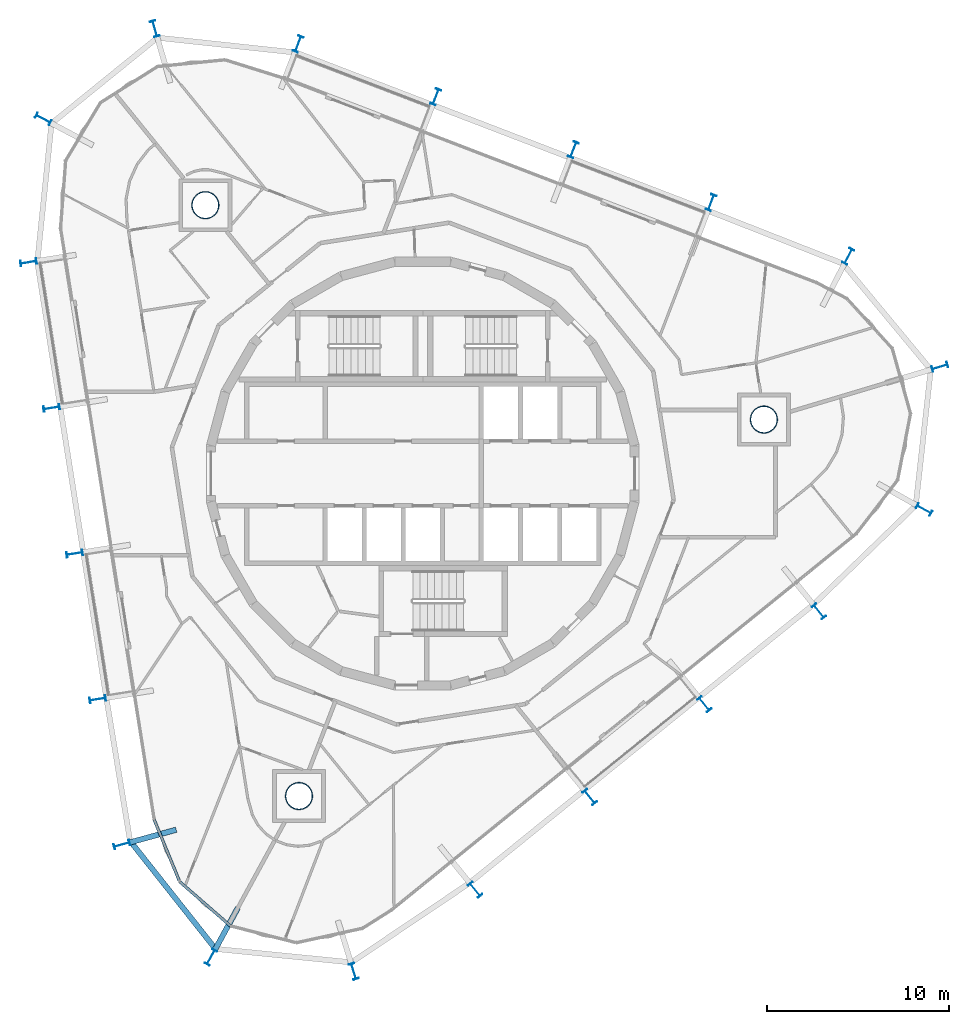
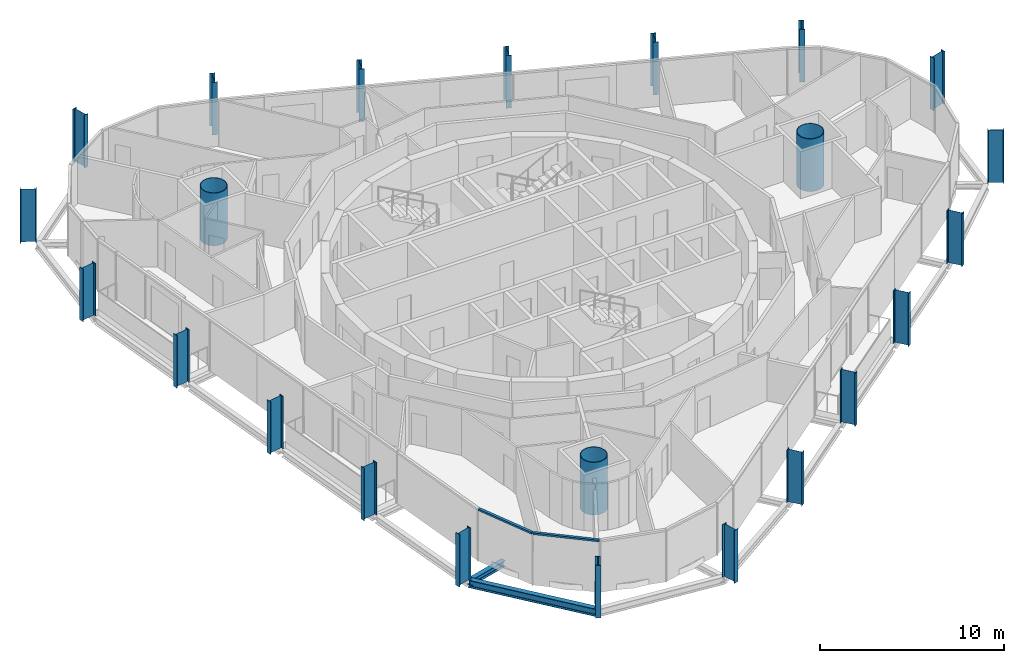
# One storey, part 1 of 18: 23 columns, 3 beams, 2 members, 1 element without a shape of its own.
"""IFC4 building model written with IfcOpenShell, lengths in metres."""

from ifc_helpers import new_model, si_unit, direction, frame, origin, origin_2d, place, context, subcontext, project, spatial, rectangle, hollow_circle, i_section, extrude, material, layer, layer_set, material_profile, profile_set, type_object, element, aggregate, save


model = new_model("IFC4")

# Units and contexts
model_context = context("Model", 3, precision=1e-05, world=origin(), true_north=direction((0.0, 1.0)))
body_context = subcontext(model_context, "Body", "Model", "MODEL_VIEW")
ifc_project = project(units=[si_unit("LENGTHUNIT", "METRE"), si_unit("AREAUNIT", "SQUARE_METRE"), si_unit("VOLUMEUNIT", "CUBIC_METRE"), si_unit("PLANEANGLEUNIT", "RADIAN"), si_unit("MASSUNIT", "GRAM", prefix="KILO")], contexts=[model_context])

# Site, building, storey
site_placement = place(None, origin())
site = spatial("IfcSite", under=ifc_project, at=site_placement, CompositionType="ELEMENT")
building_placement = place(site_placement, origin())
building = spatial("IfcBuilding", under=site, at=building_placement, Name="Spindle Arch Residences", CompositionType="ELEMENT")
storey_placement = place(building_placement, frame((0.0, 0.0, 273.89990234375)))
storey = spatial("IfcBuildingStorey", under=building, at=storey_placement, Name="L70", CompositionType="ELEMENT", Elevation=273.89990234375)

# Columns
ifc_material_1 = material(Name="Steel S460ML, intumescent coating R 240", Category="steel")
ifc_material_profile_1 = material_profile(ifc_material_1, i_section(OverallWidth=0.300048828125, OverallDepth=0.89990234375, WebThickness=0.0185546875, FlangeThickness=0.034912109375, FilletRadius=0.030029296875, at=origin_2d()), Name="HEB 900")
ifc_profile_set_1 = profile_set([ifc_material_profile_1], Name="Steel S460ML, intumescent coating R 240")
column_type_1 = type_object("IfcColumnType", Name="Exoskeleton post HEB 900", PredefinedType="COLUMN", material=ifc_profile_set_1)
for number, where, z_axis, x_axis, name in (
    (1, (15.48291015625, -12.67822265625, -0.3798828125), (0.0, 0.0, 1.0), (-0.777146167973, -0.629320136024, 0.0), "Exoskeleton post 1"),
    (2, (21.78369140625, -7.575927734375, -0.3798828125), (0.0, 0.0, 1.0), (-0.777146167973, -0.629320136024, 0.0), "Exoskeleton post 2"),
    (3, (27.56494140625, -1.975830078125, -0.3798828125), (0.0, 0.0, 1.0), (-0.489802299008, -0.871833532211, 0.0), "Exoskeleton post 3"),
    (4, (28.43505859375, 5.86767578125, -0.3798828125), (0.0, 0.0, 1.0), (0.286784074183, -0.957995247794, 0.0), "Exoskeleton post 4"),
    (5, (23.398193359375, 11.94287109375, -0.3798828125), (0.0, 0.0, 1.0), (0.888285893192, -0.45929094478, 0.0), "Exoskeleton post 5"),
    (6, (15.853515625, 14.9052734375, -0.3798828125), (0.0, 0.0, 1.0), (0.933580354843, -0.35836813621, 0.0), "Exoskeleton post 6"),
    (7, (8.2841796875, 17.810791015625, -0.3798828125), (0.0, 0.0, 1.0), (0.933580354843, -0.35836813621, 0.0), "Exoskeleton post 7"),
    (8, (0.715087890625, 20.71630859375, -0.3798828125), (0.0, 0.0, 1.0), (0.933580354843, -0.35836813621, 0.0), "Exoskeleton post 8"),
    (9, (-6.85400390625, 23.621826171875, -0.3798828125), (0.0, 0.0, 1.0), (0.933580354843, -0.35836813621, 0.0), "Exoskeleton post 9"),
    (10, (-14.7373046875, 24.468994140625, -0.3798828125), (0.0, 0.0, 1.0), (0.961245152333, 0.275695043693, 0.0), "Exoskeleton post 10"),
    (11, (-20.870361328125, 19.502685546875, -0.3798828125), (0.0, 0.0, 1.0), (0.469525073676, 0.882919138534, 0.0), "Exoskeleton post 11"),
    (12, (-21.6806640625, 11.615234375, -0.3798828125), (0.0, 0.0, 1.0), (-0.156434064006, 0.987688404113, 0.0), "Exoskeleton post 12"),
    (13, (-20.412353515625, 3.607666015625, -0.3798828125), (0.0, 0.0, 1.0), (-0.156434064006, 0.987688404113, 0.0), "Exoskeleton post 13"),
    (14, (-19.143798828125, -4.400146484375, -0.3798828125), (0.0, 0.0, 1.0), (-0.156434064006, 0.987688404113, 0.0), "Exoskeleton post 14"),
    (15, (-17.87548828125, -12.407958984375, -0.3798828125), (0.0, 0.0, 1.0), (-0.156434064006, 0.987688404113, 0.0), "Exoskeleton post 15"),
    (16, (-16.546630859375, -20.40380859375, -0.3798828125), (0.0, 0.0, 1.0), (-0.264568938302, 0.964366775084, 0.0), "Exoskeleton post 16"),
    (17, (-11.651611328125, -26.59375, -0.3798828125), (0.0, 0.0, 1.0), (-0.877434810632, 0.479695896472, 0.0), "Exoskeleton post 17"),
    (18, (-3.79833984375, -27.373291015625, -0.3798828125), (0.0, 0.0, 1.0), (-0.95461733225, -0.297835103654, 0.0), "Exoskeleton post 18"),
    (19, (2.88134765625, -22.8828125, -0.3798828125), (0.0, 0.0, 1.0), (-0.777146167973, -0.629320136024, 0.0), "Exoskeleton post 19"),
    (20, (9.18212890625, -17.780517578125, -0.3798828125), (0.0, 0.0, 1.0), (-0.777146167973, -0.629320136024, 0.0), "Exoskeleton post 20"),
):
    element("IfcColumn", number, at=place(storey_placement, frame(where, z_axis=z_axis, x_axis=x_axis)), inside=storey, type_object=column_type_1, Name=name, PredefinedType="COLUMN", context=body_context, shape_type="SweptSolid", body=[
        extrude(i_section(OverallWidth=0.300048828125, OverallDepth=0.89990234375, WebThickness=0.0185546875, FlangeThickness=0.034912109375, FilletRadius=0.030029296875, at=origin_2d()), origin(), (0.0, 0.0, 1.0), 3.5),
    ])
ifc_material_2 = material(Name="Concrete C50/60 filled steel tube S460ML, intumescent coating R 240", Category="concrete")
ifc_material_profile_2 = material_profile(ifc_material_2, hollow_circle(Radius=0.75, WallThickness=0.034912109375, at=origin_2d()), Name="CFT D1500x35")
ifc_profile_set_2 = profile_set([ifc_material_profile_2], Name="Concrete C50/60 filled steel tube S460ML, intumescent coating R 240")
column_type_2 = type_object("IfcColumnType", Name="Mega-column CFT D1500x35", PredefinedType="COLUMN", material=ifc_profile_set_2)
for number, where, z_axis, x_axis, name in (
    (21, (18.759521484375, 2.97119140625, -0.3798828125), (0.0, 0.0, 1.0), (1.0, 0.0, 0.0), "Mega-column 1"),
    (22, (-11.952880859375, 14.760498046875, -0.3798828125), (0.0, 0.0, 1.0), (1.0, 0.0, 0.0), "Mega-column 2"),
    (23, (-6.806640625, -17.731689453125, -0.3798828125), (0.0, 0.0, 1.0), (1.0, 0.0, 0.0), "Mega-column 3"),
):
    element("IfcColumn", number, at=place(storey_placement, frame(where, z_axis=z_axis, x_axis=x_axis)), inside=storey, type_object=column_type_2, Name=name, PredefinedType="COLUMN", context=body_context, shape_type="SweptSolid", body=[
        extrude(hollow_circle(Radius=0.75, WallThickness=0.034912109375, at=origin_2d()), origin(), (0.0, 0.0, 1.0), 3.5),
    ])

# Curtain wall, members
ifc_material_3 = material(Name="Aluminium bronze unitised frame with tinted glass", Category="aluminium")
ifc_layer = layer(ifc_material_3, 0.159912109375)
ifc_layer_set = layer_set([ifc_layer], Name="CW-D corner wall on the fillet arcs")
curtain_wall_type = type_object("IfcCurtainWallType", Name="CW-D corner wall on the fillet arcs", PredefinedType="NOTDEFINED", material=ifc_layer_set)
curtain_wall_placement = place(storey_placement, origin())
curtain_wall = element("IfcCurtainWall", 24, at=curtain_wall_placement, inside=storey, type_object=curtain_wall_type, Name="CW-D L70 run 5", PredefinedType="NOTDEFINED")
ifc_material_4 = material(Name="Aluminium bronze anodised transom", Category="aluminium")
ifc_material_profile_3 = material_profile(ifc_material_4, rectangle(XDim=0.159912109375, YDim=0.1201171875, at=origin_2d()), Name="TR 120x160")
ifc_profile_set_3 = profile_set([ifc_material_profile_3], Name="Aluminium bronze anodised transom")
member_type = type_object("IfcMemberType", Name="Bronze transom 120x160", PredefinedType="USERDEFINED", material=ifc_profile_set_3)
member_1_placement = place(storey_placement, frame((-14.775634765625, -19.0234375, 3.06005859375), z_axis=(0.379996173922, -0.924988058196, 0.0), x_axis=(0.924988058196, 0.379996173922, 0.0)))
member_1 = element("IfcMember", 25, at=member_1_placement, type_object=member_type, Name="CW-D transom 01", ObjectType="TRANSOM", PredefinedType="USERDEFINED", context=body_context, shape_type="SweptSolid", body=[
    extrude(rectangle(XDim=0.159912109375, YDim=0.1201171875, at=origin_2d()), origin(), (0.0, 0.0, 1.0), 3.666748046875),
])
member_2_placement = place(storey_placement, frame((-13.348388671875, -22.462646484375, 3.06005859375), z_axis=(0.754721618998, -0.656045179708, 0.0), x_axis=(0.656045179708, 0.754721618998, 0.0)))
member_2 = element("IfcMember", 26, at=member_2_placement, type_object=member_type, Name="CW-D transom 02", ObjectType="TRANSOM", PredefinedType="USERDEFINED", context=body_context, shape_type="SweptSolid", body=[
    extrude(rectangle(XDim=0.159912109375, YDim=0.1201171875, at=origin_2d()), origin(), (0.0, 0.0, 1.0), 3.666748046875),
])
aggregate(curtain_wall, [member_1, member_2])

# Beams
ifc_material_5 = material(Name="Steel S460ML, intumescent coating R 120", Category="steel")
ifc_material_profile_4 = material_profile(ifc_material_5, i_section(OverallWidth=0.300048828125, OverallDepth=0.5, WebThickness=0.014404296875, FlangeThickness=0.028076171875, FilletRadius=0.027099609375, at=origin_2d()), Name="HEB 500")
ifc_profile_set_4 = profile_set([ifc_material_profile_4], Name="Steel S460ML, intumescent coating R 120")
beam_type_1 = type_object("IfcBeamType", Name="Exoskeleton edge beam HEB 500", PredefinedType="BEAM", material=ifc_profile_set_4)
beam_1_placement = place(storey_placement, frame((-16.089599609375, -20.2080078125, -0.6298828125), z_axis=(0.62029234527, -0.784370707255, 0.0), x_axis=(0.784370707255, 0.62029234527, 0.0)))
element("IfcBeam", 27, at=beam_1_placement, inside=storey, type_object=beam_type_1, Name="Exoskeleton edge beam 16", PredefinedType="BEAM", context=body_context, shape_type="SweptSolid", body=[
    extrude(i_section(OverallWidth=0.300048828125, OverallDepth=0.5, WebThickness=0.014404296875, FlangeThickness=0.028076171875, FilletRadius=0.027099609375, at=origin_2d()), origin(), (0.0, 0.0, 1.0), 7.631591796875),
])
ifc_material_6 = material(Name="Steel S460ML, intumescent coating R 120", Category="steel")
ifc_material_profile_5 = material_profile(ifc_material_6, i_section(OverallWidth=0.300048828125, OverallDepth=0.389892578125, WebThickness=0.010986328125, FlangeThickness=0.01904296875, FilletRadius=0.027099609375, at=origin_2d()), Name="HEA 400")
ifc_profile_set_5 = profile_set([ifc_material_profile_5], Name="Steel S460ML, intumescent coating R 120")
beam_type_2 = type_object("IfcBeamType", Name="Floor outrigger HEA 400", PredefinedType="BEAM", material=ifc_profile_set_5)
beam_2_placement = place(storey_placement, frame((-16.11279296875, -20.28466796875, -0.574951171875), z_axis=(0.964363028022, 0.264582596148, 0.0), x_axis=(-0.264582596148, 0.964363028022, 0.0)))
element("IfcBeam", 28, at=beam_2_placement, inside=storey, type_object=beam_type_2, Name="Floor outrigger 16", PredefinedType="BEAM", context=body_context, shape_type="SweptSolid", body=[
    extrude(i_section(OverallWidth=0.300048828125, OverallDepth=0.389892578125, WebThickness=0.010986328125, FlangeThickness=0.01904296875, FilletRadius=0.027099609375, at=origin_2d()), origin(), (0.0, 0.0, 1.0), 2.650146484375),
])
beam_3_placement = place(storey_placement, frame((-11.435546875, -26.198974609375, -0.574951171875), z_axis=(0.479710393666, 0.877426884822, 0.0), x_axis=(-0.877426884822, 0.479710393666, 0.0)))
element("IfcBeam", 29, at=beam_3_placement, inside=storey, type_object=beam_type_2, Name="Floor outrigger 17", PredefinedType="BEAM", context=body_context, shape_type="SweptSolid", body=[
    extrude(i_section(OverallWidth=0.300048828125, OverallDepth=0.389892578125, WebThickness=0.010986328125, FlangeThickness=0.01904296875, FilletRadius=0.027099609375, at=origin_2d()), origin(), (0.0, 0.0, 1.0), 2.64990234375),
])

save(model, "model.ifc")
